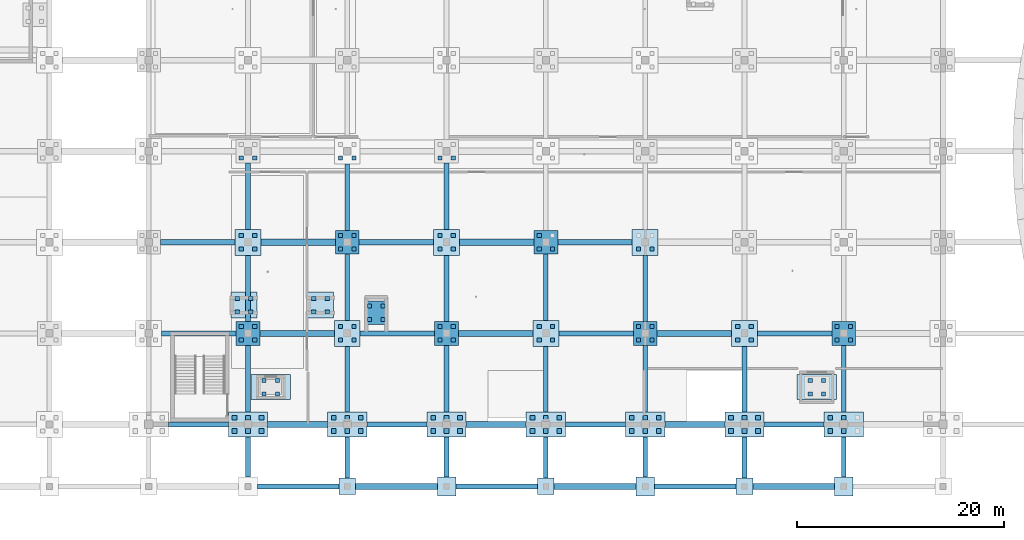
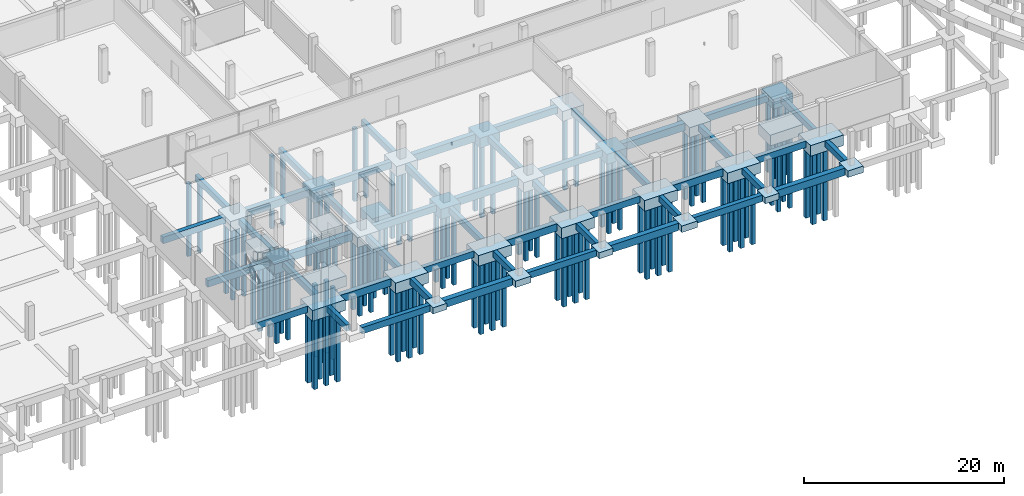
# One storey, part 3 of 31: 111 piles, 77 footings.
"""IFC4 building model written with IfcOpenShell, lengths in metres."""

from ifc_helpers import new_model, si_unit, direction, frame, origin, origin_2d, place, context, subcontext, project, spatial, rectangle, extrude, material, layer, layer_set, material_profile, profile_set, type_object, element, save


model = new_model("IFC4")

# Units and contexts
model_context = context("Model", 3, precision=1e-05, world=origin(), true_north=direction((0.0, 1.0)))
body_context = subcontext(model_context, "Body", "Model", "MODEL_VIEW")
ifc_project = project(units=[si_unit("LENGTHUNIT", "METRE"), si_unit("AREAUNIT", "SQUARE_METRE"), si_unit("VOLUMEUNIT", "CUBIC_METRE"), si_unit("PLANEANGLEUNIT", "RADIAN"), si_unit("MASSUNIT", "GRAM", prefix="KILO")], contexts=[model_context])

# Site, building, storey
site_placement = place(None, origin())
site = spatial("IfcSite", under=ifc_project, at=site_placement, CompositionType="ELEMENT")
building_placement = place(site_placement, origin())
building = spatial("IfcBuilding", under=site, at=building_placement, Name="Chalmorin Arch Market", CompositionType="ELEMENT")
storey_placement = place(building_placement, frame((0.0, 0.0, -4.199951171875)))
storey = spatial("IfcBuildingStorey", under=building, at=storey_placement, Name="B1", CompositionType="ELEMENT", Elevation=-4.199951171875)

# Piles
ifc_material_1 = material(Name="Precast concrete C50/60", Category="concrete")
ifc_material_profile_1 = material_profile(ifc_material_1, rectangle(XDim=0.406005859375, YDim=0.406005859375, at=origin_2d()), Name="PPC406")
ifc_profile_set_1 = profile_set([ifc_material_profile_1], Name="Precast concrete C50/60")
pile_type_1 = type_object("IfcPileType", Name="DrivenSquarePile-406", PredefinedType="DRIVEN", material=ifc_profile_set_1)
for number, where, z_axis, x_axis, name in (
    (1, (56.949951171875, 14.14990234375, -1.10009765625), (0.0, 0.0, -1.0), (1.0, 0.0, 0.0), "P-406-303"),
    (2, (58.25, 14.14990234375, -1.10009765625), (0.0, 0.0, -1.0), (1.0, 0.0, 0.0), "P-406-304"),
    (3, (56.949951171875, 15.449951171875, -1.10009765625), (0.0, 0.0, -1.0), (1.0, 0.0, 0.0), "P-406-305"),
    (4, (58.25, 15.449951171875, -1.10009765625), (0.0, 0.0, -1.0), (1.0, 0.0, 0.0), "P-406-306"),
    (5, (56.949951171875, 22.949951171875, -1.10009765625), (0.0, 0.0, -1.0), (1.0, 0.0, 0.0), "P-406-307"),
    (6, (58.25, 22.949951171875, -1.10009765625), (0.0, 0.0, -1.0), (1.0, 0.0, 0.0), "P-406-308"),
    (7, (56.949951171875, 24.25, -1.10009765625), (0.0, 0.0, -1.0), (1.0, 0.0, 0.0), "P-406-309"),
    (8, (58.25, 24.25, -1.10009765625), (0.0, 0.0, -1.0), (1.0, 0.0, 0.0), "P-406-310"),
    (9, (56.949951171875, 31.75, -1.10009765625), (0.0, 0.0, -1.0), (1.0, 0.0, 0.0), "P-406-311"),
    (10, (58.25, 31.75, -1.10009765625), (0.0, 0.0, -1.0), (1.0, 0.0, 0.0), "P-406-312"),
    (11, (66.550048828125, 14.14990234375, -1.10009765625), (0.0, 0.0, -1.0), (1.0, 0.0, 0.0), "P-406-359"),
    (12, (67.85009765625, 14.14990234375, -1.10009765625), (0.0, 0.0, -1.0), (1.0, 0.0, 0.0), "P-406-360"),
    (13, (66.550048828125, 15.449951171875, -1.10009765625), (0.0, 0.0, -1.0), (1.0, 0.0, 0.0), "P-406-361"),
    (14, (67.85009765625, 15.449951171875, -1.10009765625), (0.0, 0.0, -1.0), (1.0, 0.0, 0.0), "P-406-362"),
    (15, (66.550048828125, 22.949951171875, -1.10009765625), (0.0, 0.0, -1.0), (1.0, 0.0, 0.0), "P-406-363"),
    (16, (67.85009765625, 22.949951171875, -1.10009765625), (0.0, 0.0, -1.0), (1.0, 0.0, 0.0), "P-406-364"),
    (17, (66.550048828125, 24.25, -1.10009765625), (0.0, 0.0, -1.0), (1.0, 0.0, 0.0), "P-406-365"),
    (18, (67.85009765625, 24.25, -1.10009765625), (0.0, 0.0, -1.0), (1.0, 0.0, 0.0), "P-406-366"),
    (19, (66.550048828125, 31.75, -1.10009765625), (0.0, 0.0, -1.0), (1.0, 0.0, 0.0), "P-406-367"),
    (20, (67.85009765625, 31.75, -1.10009765625), (0.0, 0.0, -1.0), (1.0, 0.0, 0.0), "P-406-368"),
    (21, (76.14990234375, 14.14990234375, -1.10009765625), (0.0, 0.0, -1.0), (1.0, 0.0, 0.0), "P-406-415"),
    (22, (77.449951171875, 14.14990234375, -1.10009765625), (0.0, 0.0, -1.0), (1.0, 0.0, 0.0), "P-406-416"),
    (23, (76.14990234375, 15.449951171875, -1.10009765625), (0.0, 0.0, -1.0), (1.0, 0.0, 0.0), "P-406-417"),
    (24, (77.449951171875, 15.449951171875, -1.10009765625), (0.0, 0.0, -1.0), (1.0, 0.0, 0.0), "P-406-418"),
    (25, (76.14990234375, 22.949951171875, -1.10009765625), (0.0, 0.0, -1.0), (1.0, 0.0, 0.0), "P-406-419"),
    (26, (77.449951171875, 22.949951171875, -1.10009765625), (0.0, 0.0, -1.0), (1.0, 0.0, 0.0), "P-406-420"),
    (27, (76.14990234375, 24.25, -1.10009765625), (0.0, 0.0, -1.0), (1.0, 0.0, 0.0), "P-406-421"),
    (28, (77.449951171875, 24.25, -1.10009765625), (0.0, 0.0, -1.0), (1.0, 0.0, 0.0), "P-406-422"),
    (29, (76.14990234375, 31.75, -1.10009765625), (0.0, 0.0, -1.0), (1.0, 0.0, 0.0), "P-406-423"),
    (30, (77.449951171875, 31.75, -1.10009765625), (0.0, 0.0, -1.0), (1.0, 0.0, 0.0), "P-406-424"),
    (31, (85.75, 14.14990234375, -1.10009765625), (0.0, 0.0, -1.0), (1.0, 0.0, 0.0), "P-406-471"),
    (32, (87.050048828125, 14.14990234375, -1.10009765625), (0.0, 0.0, -1.0), (1.0, 0.0, 0.0), "P-406-472"),
    (33, (85.75, 15.449951171875, -1.10009765625), (0.0, 0.0, -1.0), (1.0, 0.0, 0.0), "P-406-473"),
    (34, (87.050048828125, 15.449951171875, -1.10009765625), (0.0, 0.0, -1.0), (1.0, 0.0, 0.0), "P-406-474"),
    (35, (85.75, 22.949951171875, -1.10009765625), (0.0, 0.0, -1.0), (1.0, 0.0, 0.0), "P-406-475"),
    (36, (87.050048828125, 22.949951171875, -1.10009765625), (0.0, 0.0, -1.0), (1.0, 0.0, 0.0), "P-406-476"),
    (37, (85.75, 24.25, -1.10009765625), (0.0, 0.0, -1.0), (1.0, 0.0, 0.0), "P-406-477"),
    (38, (95.35009765625, 14.14990234375, -1.10009765625), (0.0, 0.0, -1.0), (1.0, 0.0, 0.0), "P-406-527"),
    (39, (96.64990234375, 14.14990234375, -1.10009765625), (0.0, 0.0, -1.0), (1.0, 0.0, 0.0), "P-406-528"),
    (40, (95.35009765625, 15.449951171875, -1.10009765625), (0.0, 0.0, -1.0), (1.0, 0.0, 0.0), "P-406-529"),
    (41, (96.64990234375, 15.449951171875, -1.10009765625), (0.0, 0.0, -1.0), (1.0, 0.0, 0.0), "P-406-530"),
    (42, (95.35009765625, 22.949951171875, -1.10009765625), (0.0, 0.0, -1.0), (1.0, 0.0, 0.0), "P-406-531"),
    (43, (96.64990234375, 22.949951171875, -1.10009765625), (0.0, 0.0, -1.0), (1.0, 0.0, 0.0), "P-406-532"),
    (44, (104.949951171875, 14.14990234375, -1.10009765625), (0.0, 0.0, -1.0), (1.0, 0.0, 0.0), "P-406-583"),
    (45, (106.25, 14.14990234375, -1.10009765625), (0.0, 0.0, -1.0), (1.0, 0.0, 0.0), "P-406-584"),
    (46, (104.949951171875, 15.449951171875, -1.10009765625), (0.0, 0.0, -1.0), (1.0, 0.0, 0.0), "P-406-585"),
    (47, (106.25, 15.449951171875, -1.10009765625), (0.0, 0.0, -1.0), (1.0, 0.0, 0.0), "P-406-586"),
    (48, (114.550048828125, 14.14990234375, -1.10009765625), (0.0, 0.0, -1.0), (1.0, 0.0, 0.0), "P-406-639"),
    (49, (115.85009765625, 14.14990234375, -1.10009765625), (0.0, 0.0, -1.0), (1.0, 0.0, 0.0), "P-406-640"),
    (50, (114.550048828125, 15.449951171875, -1.10009765625), (0.0, 0.0, -1.0), (1.0, 0.0, 0.0), "P-406-641"),
    (51, (115.85009765625, 15.449951171875, -1.10009765625), (0.0, 0.0, -1.0), (1.0, 0.0, 0.0), "P-406-642"),
    (52, (56.56005859375, 16.875, -1.10009765625), (0.0, 0.0, -1.0), (1.0, 0.0, 0.0), "P-406-957"),
    (53, (57.860107421875, 16.875, -1.10009765625), (0.0, 0.0, -1.0), (1.0, 0.0, 0.0), "P-406-958"),
    (54, (56.56005859375, 18.175048828125, -1.10009765625), (0.0, 0.0, -1.0), (1.0, 0.0, 0.0), "P-406-959"),
    (55, (57.860107421875, 18.175048828125, -1.10009765625), (0.0, 0.0, -1.0), (1.0, 0.0, 0.0), "P-406-960"),
    (56, (63.9599609375, 16.875, -1.10009765625), (0.0, 0.0, -1.0), (1.0, 0.0, 0.0), "P-406-965"),
    (57, (65.260009765625, 16.875, -1.10009765625), (0.0, 0.0, -1.0), (1.0, 0.0, 0.0), "P-406-966"),
    (58, (63.9599609375, 18.175048828125, -1.10009765625), (0.0, 0.0, -1.0), (1.0, 0.0, 0.0), "P-406-967"),
    (59, (65.260009765625, 18.175048828125, -1.10009765625), (0.0, 0.0, -1.0), (1.0, 0.0, 0.0), "P-406-968"),
    (60, (69.35009765625, 16.14990234375, -1.10009765625), (0.0, 0.0, -1.0), (1.0, 0.0, 0.0), "P-406-969"),
    (61, (70.64990234375, 16.14990234375, -1.10009765625), (0.0, 0.0, -1.0), (1.0, 0.0, 0.0), "P-406-970"),
    (62, (69.35009765625, 17.449951171875, -1.10009765625), (0.0, 0.0, -1.0), (1.0, 0.0, 0.0), "P-406-971"),
    (63, (70.64990234375, 17.449951171875, -1.10009765625), (0.0, 0.0, -1.0), (1.0, 0.0, 0.0), "P-406-972"),
):
    element("IfcPile", number, at=place(storey_placement, frame(where, z_axis=z_axis, x_axis=x_axis)), inside=storey, type_object=pile_type_1, Name=name, PredefinedType="DRIVEN", context=body_context, shape_type="SweptSolid", body=[
        extrude(rectangle(XDim=0.406005859375, YDim=0.406005859375, at=origin_2d()), origin(), (0.0, 0.0, 1.0), 8.89990234375),
    ])
for number, where, z_axis, x_axis, name in (
    (64, (59.14990234375, 8.949951171875, -1.199951171875), (0.0, 0.0, -1.0), (1.0, 0.0, 0.0), "P-406-981"),
    (65, (60.449951171875, 8.949951171875, -1.199951171875), (0.0, 0.0, -1.0), (1.0, 0.0, 0.0), "P-406-982"),
    (66, (59.14990234375, 10.25, -1.199951171875), (0.0, 0.0, -1.0), (1.0, 0.0, 0.0), "P-406-983"),
    (67, (60.449951171875, 10.25, -1.199951171875), (0.0, 0.0, -1.0), (1.0, 0.0, 0.0), "P-406-984"),
    (68, (111.949951171875, 8.949951171875, -1.199951171875), (0.0, 0.0, -1.0), (1.0, 0.0, 0.0), "P-406-993"),
    (69, (113.25, 8.949951171875, -1.199951171875), (0.0, 0.0, -1.0), (1.0, 0.0, 0.0), "P-406-994"),
    (70, (111.949951171875, 10.25, -1.199951171875), (0.0, 0.0, -1.0), (1.0, 0.0, 0.0), "P-406-995"),
    (71, (113.25, 10.25, -1.199951171875), (0.0, 0.0, -1.0), (1.0, 0.0, 0.0), "P-406-996"),
):
    element("IfcPile", number, at=place(storey_placement, frame(where, z_axis=z_axis, x_axis=x_axis)), inside=storey, type_object=pile_type_1, Name=name, PredefinedType="DRIVEN", context=body_context, shape_type="SweptSolid", body=[
        extrude(rectangle(XDim=0.406005859375, YDim=0.406005859375, at=origin_2d()), origin(), (0.0, 0.0, 1.0), 8.800048828125),
    ])
ifc_material_profile_2 = material_profile(ifc_material_1, rectangle(XDim=0.45703125, YDim=0.45703125, at=origin_2d()), Name="PPC457")
ifc_profile_set_2 = profile_set([ifc_material_profile_2], Name="Precast concrete C50/60")
pile_type_2 = type_object("IfcPileType", Name="DrivenSquarePile-457", PredefinedType="DRIVEN", material=ifc_profile_set_2)
for number, where, z_axis, x_axis, name in (
    (72, (56.300048828125, 5.35009765625, -1.199951171875), (0.0, 0.0, -1.0), (1.0, 0.0, 0.0), "P-457-297"),
    (73, (57.60009765625, 5.35009765625, -1.199951171875), (0.0, 0.0, -1.0), (1.0, 0.0, 0.0), "P-457-298"),
    (74, (58.89990234375, 5.35009765625, -1.199951171875), (0.0, 0.0, -1.0), (1.0, 0.0, 0.0), "P-457-299"),
    (75, (56.300048828125, 6.64990234375, -1.199951171875), (0.0, 0.0, -1.0), (1.0, 0.0, 0.0), "P-457-300"),
    (76, (57.60009765625, 6.64990234375, -1.199951171875), (0.0, 0.0, -1.0), (1.0, 0.0, 0.0), "P-457-301"),
    (77, (58.89990234375, 6.64990234375, -1.199951171875), (0.0, 0.0, -1.0), (1.0, 0.0, 0.0), "P-457-302"),
    (78, (65.89990234375, 5.35009765625, -1.199951171875), (0.0, 0.0, -1.0), (1.0, 0.0, 0.0), "P-457-353"),
    (79, (67.199951171875, 5.35009765625, -1.199951171875), (0.0, 0.0, -1.0), (1.0, 0.0, 0.0), "P-457-354"),
    (80, (68.5, 5.35009765625, -1.199951171875), (0.0, 0.0, -1.0), (1.0, 0.0, 0.0), "P-457-355"),
    (81, (65.89990234375, 6.64990234375, -1.199951171875), (0.0, 0.0, -1.0), (1.0, 0.0, 0.0), "P-457-356"),
    (82, (67.199951171875, 6.64990234375, -1.199951171875), (0.0, 0.0, -1.0), (1.0, 0.0, 0.0), "P-457-357"),
    (83, (68.5, 6.64990234375, -1.199951171875), (0.0, 0.0, -1.0), (1.0, 0.0, 0.0), "P-457-358"),
    (84, (75.5, 5.35009765625, -1.199951171875), (0.0, 0.0, -1.0), (1.0, 0.0, 0.0), "P-457-409"),
    (85, (76.800048828125, 5.35009765625, -1.199951171875), (0.0, 0.0, -1.0), (1.0, 0.0, 0.0), "P-457-410"),
    (86, (78.10009765625, 5.35009765625, -1.199951171875), (0.0, 0.0, -1.0), (1.0, 0.0, 0.0), "P-457-411"),
    (87, (75.5, 6.64990234375, -1.199951171875), (0.0, 0.0, -1.0), (1.0, 0.0, 0.0), "P-457-412"),
    (88, (76.800048828125, 6.64990234375, -1.199951171875), (0.0, 0.0, -1.0), (1.0, 0.0, 0.0), "P-457-413"),
    (89, (78.10009765625, 6.64990234375, -1.199951171875), (0.0, 0.0, -1.0), (1.0, 0.0, 0.0), "P-457-414"),
    (90, (85.10009765625, 5.35009765625, -1.199951171875), (0.0, 0.0, -1.0), (1.0, 0.0, 0.0), "P-457-465"),
    (91, (86.39990234375, 5.35009765625, -1.199951171875), (0.0, 0.0, -1.0), (1.0, 0.0, 0.0), "P-457-466"),
    (92, (87.699951171875, 5.35009765625, -1.199951171875), (0.0, 0.0, -1.0), (1.0, 0.0, 0.0), "P-457-467"),
    (93, (85.10009765625, 6.64990234375, -1.199951171875), (0.0, 0.0, -1.0), (1.0, 0.0, 0.0), "P-457-468"),
    (94, (86.39990234375, 6.64990234375, -1.199951171875), (0.0, 0.0, -1.0), (1.0, 0.0, 0.0), "P-457-469"),
    (95, (87.699951171875, 6.64990234375, -1.199951171875), (0.0, 0.0, -1.0), (1.0, 0.0, 0.0), "P-457-470"),
    (96, (94.699951171875, 5.35009765625, -1.199951171875), (0.0, 0.0, -1.0), (1.0, 0.0, 0.0), "P-457-521"),
    (97, (96.0, 5.35009765625, -1.199951171875), (0.0, 0.0, -1.0), (1.0, 0.0, 0.0), "P-457-522"),
    (98, (97.300048828125, 5.35009765625, -1.199951171875), (0.0, 0.0, -1.0), (1.0, 0.0, 0.0), "P-457-523"),
    (99, (94.699951171875, 6.64990234375, -1.199951171875), (0.0, 0.0, -1.0), (1.0, 0.0, 0.0), "P-457-524"),
    (100, (96.0, 6.64990234375, -1.199951171875), (0.0, 0.0, -1.0), (1.0, 0.0, 0.0), "P-457-525"),
    (101, (97.300048828125, 6.64990234375, -1.199951171875), (0.0, 0.0, -1.0), (1.0, 0.0, 0.0), "P-457-526"),
    (102, (104.300048828125, 5.35009765625, -1.199951171875), (0.0, 0.0, -1.0), (1.0, 0.0, 0.0), "P-457-577"),
    (103, (105.60009765625, 5.35009765625, -1.199951171875), (0.0, 0.0, -1.0), (1.0, 0.0, 0.0), "P-457-578"),
    (104, (106.89990234375, 5.35009765625, -1.199951171875), (0.0, 0.0, -1.0), (1.0, 0.0, 0.0), "P-457-579"),
    (105, (104.300048828125, 6.64990234375, -1.199951171875), (0.0, 0.0, -1.0), (1.0, 0.0, 0.0), "P-457-580"),
    (106, (105.60009765625, 6.64990234375, -1.199951171875), (0.0, 0.0, -1.0), (1.0, 0.0, 0.0), "P-457-581"),
    (107, (106.89990234375, 6.64990234375, -1.199951171875), (0.0, 0.0, -1.0), (1.0, 0.0, 0.0), "P-457-582"),
    (108, (113.89990234375, 5.35009765625, -1.199951171875), (0.0, 0.0, -1.0), (1.0, 0.0, 0.0), "P-457-633"),
    (109, (115.199951171875, 5.35009765625, -1.199951171875), (0.0, 0.0, -1.0), (1.0, 0.0, 0.0), "P-457-634"),
    (110, (113.89990234375, 6.64990234375, -1.199951171875), (0.0, 0.0, -1.0), (1.0, 0.0, 0.0), "P-457-636"),
    (111, (115.199951171875, 6.64990234375, -1.199951171875), (0.0, 0.0, -1.0), (1.0, 0.0, 0.0), "P-457-637"),
):
    element("IfcPile", number, at=place(storey_placement, frame(where, z_axis=z_axis, x_axis=x_axis)), inside=storey, type_object=pile_type_2, Name=name, PredefinedType="DRIVEN", context=body_context, shape_type="SweptSolid", body=[
        extrude(rectangle(XDim=0.45703125, YDim=0.45703125, at=origin_2d()), origin(), (0.0, 0.0, 1.0), 8.800048828125),
    ])

# Footings
ifc_material_2 = material(Name="Concrete C40/50", Category="concrete")
ifc_layer_1 = layer(ifc_material_2, 0.75)
ifc_layer_set_1 = layer_set([ifc_layer_1], Name="Concrete C40/50")
footing_type_1 = type_object("IfcFootingType", Name="FoundationTieBeam-450x750-L3900", PredefinedType="FOOTING_BEAM", material=ifc_layer_set_1)
for number, where, z_axis, x_axis, name in (
    (112, (57.60009765625, 2.85009765625, -0.75), (0.0, 0.0, 1.0), (0.0, 1.0, 0.0), "FTB-03-246"),
    (113, (76.800048828125, 2.85009765625, -0.75), (0.0, 0.0, 1.0), (0.0, 1.0, 0.0), "FTB-03-272"),
    (114, (96.0, 2.85009765625, -0.75), (0.0, 0.0, 1.0), (0.0, 1.0, 0.0), "FTB-03-298"),
    (115, (115.199951171875, 2.85009765625, -0.75), (0.0, 0.0, 1.0), (0.0, 1.0, 0.0), "FTB-03-324"),
):
    element("IfcFooting", number, at=place(storey_placement, frame(where, z_axis=z_axis, x_axis=x_axis)), inside=storey, type_object=footing_type_1, Name=name, PredefinedType="FOOTING_BEAM", context=body_context, shape_type="SweptSolid", body=[
        extrude(rectangle(XDim=3.89990234375, YDim=0.449951171875, at=origin_2d()), origin(), (0.0, 0.0, 1.0), 0.75),
    ])
ifc_layer_2 = layer(ifc_material_2, 0.75)
ifc_layer_set_2 = layer_set([ifc_layer_2], Name="Concrete C40/50")
footing_type_2 = type_object("IfcFootingType", Name="FoundationTieBeam-450x750-L4000", PredefinedType="FOOTING_BEAM", material=ifc_layer_set_2)
for number, where, z_axis, x_axis, name in (
    (116, (67.199951171875, 2.800048828125, -0.75), (0.0, 0.0, 1.0), (0.0, 1.0, 0.0), "FTB-03-259"),
    (117, (86.39990234375, 2.800048828125, -0.75), (0.0, 0.0, 1.0), (0.0, 1.0, 0.0), "FTB-03-285"),
    (118, (105.60009765625, 2.800048828125, -0.75), (0.0, 0.0, 1.0), (0.0, 1.0, 0.0), "FTB-03-311"),
):
    element("IfcFooting", number, at=place(storey_placement, frame(where, z_axis=z_axis, x_axis=x_axis)), inside=storey, type_object=footing_type_2, Name=name, PredefinedType="FOOTING_BEAM", context=body_context, shape_type="SweptSolid", body=[
        extrude(rectangle(XDim=4.0, YDim=0.449951171875, at=origin_2d()), origin(), (0.0, 0.0, 1.0), 0.75),
    ])
ifc_layer_3 = layer(ifc_material_2, 0.75)
ifc_layer_set_3 = layer_set([ifc_layer_3], Name="Concrete C40/50")
footing_type_3 = type_object("IfcFootingType", Name="FoundationTieBeam-450x750-L6350", PredefinedType="FOOTING_BEAM", material=ifc_layer_set_3)
for number, where, z_axis, x_axis, name in (
    (119, (67.199951171875, 10.375, -0.75), (0.0, 0.0, 1.0), (0.0, 1.0, 0.0), "FTB-03-260"),
    (120, (86.39990234375, 10.375, -0.75), (0.0, 0.0, 1.0), (0.0, 1.0, 0.0), "FTB-03-286"),
    (121, (105.60009765625, 10.375, -0.75), (0.0, 0.0, 1.0), (0.0, 1.0, 0.0), "FTB-03-312"),
):
    element("IfcFooting", number, at=place(storey_placement, frame(where, z_axis=z_axis, x_axis=x_axis)), inside=storey, type_object=footing_type_3, Name=name, PredefinedType="FOOTING_BEAM", context=body_context, shape_type="SweptSolid", body=[
        extrude(rectangle(XDim=6.35009765625, YDim=0.449951171875, at=origin_2d()), origin(), (0.0, 0.0, 1.0), 0.75),
    ])
ifc_layer_4 = layer(ifc_material_2, 0.75)
ifc_layer_set_4 = layer_set([ifc_layer_4], Name="Concrete C40/50")
footing_type_4 = type_object("IfcFootingType", Name="FoundationTieBeam-450x750-L6400", PredefinedType="FOOTING_BEAM", material=ifc_layer_set_4)
for number, where, z_axis, x_axis, name in (
    (122, (57.60009765625, 19.14990234375, -0.75), (0.0, 0.0, 1.0), (0.0, 1.0, 0.0), "FTB-03-248"),
    (123, (57.60009765625, 28.050048828125, -0.75), (0.0, 0.0, 1.0), (0.0, 1.0, 0.0), "FTB-03-249"),
    (124, (67.199951171875, 19.25, -0.75), (0.0, 0.0, 1.0), (0.0, 1.0, 0.0), "FTB-03-261"),
    (125, (67.199951171875, 27.949951171875, -0.75), (0.0, 0.0, 1.0), (0.0, 1.0, 0.0), "FTB-03-262"),
    (126, (76.800048828125, 19.14990234375, -0.75), (0.0, 0.0, 1.0), (0.0, 1.0, 0.0), "FTB-03-274"),
    (127, (76.800048828125, 28.050048828125, -0.75), (0.0, 0.0, 1.0), (0.0, 1.0, 0.0), "FTB-03-275"),
    (128, (86.39990234375, 19.25, -0.75), (0.0, 0.0, 1.0), (0.0, 1.0, 0.0), "FTB-03-287"),
    (129, (96.0, 19.14990234375, -0.75), (0.0, 0.0, 1.0), (0.0, 1.0, 0.0), "FTB-03-300"),
):
    element("IfcFooting", number, at=place(storey_placement, frame(where, z_axis=z_axis, x_axis=x_axis)), inside=storey, type_object=footing_type_4, Name=name, PredefinedType="FOOTING_BEAM", context=body_context, shape_type="SweptSolid", body=[
        extrude(rectangle(XDim=6.39990234375, YDim=0.449951171875, at=origin_2d()), origin(), (0.0, 0.0, 1.0), 0.75),
    ])
ifc_layer_5 = layer(ifc_material_2, 0.75)
ifc_layer_set_5 = layer_set([ifc_layer_5], Name="Concrete C40/50")
footing_type_5 = type_object("IfcFootingType", Name="FoundationTieBeam-450x750-L6450", PredefinedType="FOOTING_BEAM", material=ifc_layer_set_5)
for number, where, z_axis, x_axis, name in (
    (130, (57.60009765625, 10.425048828125, -0.75), (0.0, 0.0, 1.0), (0.0, 1.0, 0.0), "FTB-03-247"),
    (131, (76.800048828125, 10.425048828125, -0.75), (0.0, 0.0, 1.0), (0.0, 1.0, 0.0), "FTB-03-273"),
    (132, (96.0, 10.425048828125, -0.75), (0.0, 0.0, 1.0), (0.0, 1.0, 0.0), "FTB-03-299"),
    (133, (115.199951171875, 10.425048828125, -0.75), (0.0, 0.0, 1.0), (0.0, 1.0, 0.0), "FTB-03-325"),
):
    element("IfcFooting", number, at=place(storey_placement, frame(where, z_axis=z_axis, x_axis=x_axis)), inside=storey, type_object=footing_type_5, Name=name, PredefinedType="FOOTING_BEAM", context=body_context, shape_type="SweptSolid", body=[
        extrude(rectangle(XDim=6.449951171875, YDim=0.449951171875, at=origin_2d()), origin(), (0.0, 0.0, 1.0), 0.75),
    ])
ifc_layer_6 = layer(ifc_material_2, 0.800048828125)
ifc_layer_set_6 = layer_set([ifc_layer_6], Name="Concrete C40/50")
footing_type_6 = type_object("IfcFootingType", Name="FoundationTieBeam-500x800-L5800", PredefinedType="FOOTING_BEAM", material=ifc_layer_set_6)
for number, where, z_axis, x_axis, name in (
    (134, (52.800048828125, 6.0, -0.80029296875), (0.0, 0.0, 1.0), (1.0, 0.0, 0.0), "FTB-02-019"),
    (135, (72.0, 6.0, -0.80029296875), (0.0, 0.0, 1.0), (1.0, 0.0, 0.0), "FTB-02-021"),
    (136, (91.199951171875, 6.0, -0.80029296875), (0.0, 0.0, 1.0), (1.0, 0.0, 0.0), "FTB-02-023"),
    (137, (110.39990234375, 6.0, -0.80029296875), (0.0, 0.0, 1.0), (1.0, 0.0, 0.0), "FTB-02-025"),
):
    element("IfcFooting", number, at=place(storey_placement, frame(where, z_axis=z_axis, x_axis=x_axis)), inside=storey, type_object=footing_type_6, Name=name, PredefinedType="FOOTING_BEAM", context=body_context, shape_type="SweptSolid", body=[
        extrude(rectangle(XDim=5.800048828125, YDim=0.5, at=origin_2d()), origin(), (0.0, 0.0, 1.0), 0.800048828125),
    ])
ifc_layer_7 = layer(ifc_material_2, 0.800048828125)
ifc_layer_set_7 = layer_set([ifc_layer_7], Name="Concrete C40/50")
footing_type_7 = type_object("IfcFootingType", Name="FoundationTieBeam-500x800-L7200", PredefinedType="FOOTING_BEAM", material=ifc_layer_set_7)
for number, where, z_axis, x_axis, name in (
    (138, (52.85009765625, 14.800048828125, -0.80029296875), (0.0, 0.0, 1.0), (1.0, 0.0, 0.0), "FTB-02-033"),
    (139, (72.050048828125, 14.800048828125, -0.80029296875), (0.0, 0.0, 1.0), (1.0, 0.0, 0.0), "FTB-02-035"),
    (140, (91.25, 14.800048828125, -0.80029296875), (0.0, 0.0, 1.0), (1.0, 0.0, 0.0), "FTB-02-037"),
    (141, (110.449951171875, 14.800048828125, -0.80029296875), (0.0, 0.0, 1.0), (1.0, 0.0, 0.0), "FTB-02-039"),
    (142, (52.75, 23.60009765625, -0.80029296875), (0.0, 0.0, 1.0), (1.0, 0.0, 0.0), "FTB-02-047"),
    (143, (71.949951171875, 23.60009765625, -0.80029296875), (0.0, 0.0, 1.0), (1.0, 0.0, 0.0), "FTB-02-049"),
    (144, (91.14990234375, 23.60009765625, -0.80029296875), (0.0, 0.0, 1.0), (1.0, 0.0, 0.0), "FTB-02-051"),
):
    element("IfcFooting", number, at=place(storey_placement, frame(where, z_axis=z_axis, x_axis=x_axis)), inside=storey, type_object=footing_type_7, Name=name, PredefinedType="FOOTING_BEAM", context=body_context, shape_type="SweptSolid", body=[
        extrude(rectangle(XDim=7.199951171875, YDim=0.5, at=origin_2d()), origin(), (0.0, 0.0, 1.0), 0.800048828125),
    ])
ifc_layer_8 = layer(ifc_material_2, 0.800048828125)
ifc_layer_set_8 = layer_set([ifc_layer_8], Name="Concrete C40/50")
footing_type_8 = type_object("IfcFootingType", Name="FoundationTieBeam-500x800-L7900", PredefinedType="FOOTING_BEAM", material=ifc_layer_set_8)
for number, where, z_axis, x_axis, name in (
    (145, (62.449951171875, 0.0, -0.80029296875), (0.0, 0.0, 1.0), (1.0, 0.0, 0.0), "FTB-02-007"),
    (146, (81.64990234375, 0.0, -0.80029296875), (0.0, 0.0, 1.0), (1.0, 0.0, 0.0), "FTB-02-009"),
    (147, (100.85009765625, 0.0, -0.80029296875), (0.0, 0.0, 1.0), (1.0, 0.0, 0.0), "FTB-02-011"),
):
    element("IfcFooting", number, at=place(storey_placement, frame(where, z_axis=z_axis, x_axis=x_axis)), inside=storey, type_object=footing_type_8, Name=name, PredefinedType="FOOTING_BEAM", context=body_context, shape_type="SweptSolid", body=[
        extrude(rectangle(XDim=7.89990234375, YDim=0.5, at=origin_2d()), origin(), (0.0, 0.0, 1.0), 0.800048828125),
    ])
ifc_layer_9 = layer(ifc_material_2, 0.89990234375)
ifc_layer_set_9 = layer_set([ifc_layer_9], Name="Concrete C40/50")
footing_type_9 = type_object("IfcFootingType", Name="FoundationTieBeam-600x900-L5800", PredefinedType="FOOTING_BEAM", material=ifc_layer_set_9)
for number, where, z_axis, x_axis, name in (
    (148, (62.39990234375, 6.0, -0.89990234375), (0.0, 0.0, 1.0), (1.0, 0.0, 0.0), "FTB-01-020"),
    (149, (81.60009765625, 6.0, -0.89990234375), (0.0, 0.0, 1.0), (1.0, 0.0, 0.0), "FTB-01-022"),
    (150, (100.800048828125, 6.0, -0.89990234375), (0.0, 0.0, 1.0), (1.0, 0.0, 0.0), "FTB-01-024"),
):
    element("IfcFooting", number, at=place(storey_placement, frame(where, z_axis=z_axis, x_axis=x_axis)), inside=storey, type_object=footing_type_9, Name=name, PredefinedType="FOOTING_BEAM", context=body_context, shape_type="SweptSolid", body=[
        extrude(rectangle(XDim=5.800048828125, YDim=0.60009765625, at=origin_2d()), origin(), (0.0, 0.0, 1.0), 0.89990234375),
    ])
ifc_layer_10 = layer(ifc_material_2, 0.89990234375)
ifc_layer_set_10 = layer_set([ifc_layer_10], Name="Concrete C40/50")
footing_type_10 = type_object("IfcFootingType", Name="FoundationTieBeam-600x900-L7200", PredefinedType="FOOTING_BEAM", material=ifc_layer_set_10)
for number, where, z_axis, x_axis, name in (
    (151, (62.35009765625, 14.800048828125, -0.89990234375), (0.0, 0.0, 1.0), (1.0, 0.0, 0.0), "FTB-01-034"),
    (152, (81.550048828125, 14.800048828125, -0.89990234375), (0.0, 0.0, 1.0), (1.0, 0.0, 0.0), "FTB-01-036"),
    (153, (100.75, 14.800048828125, -0.89990234375), (0.0, 0.0, 1.0), (1.0, 0.0, 0.0), "FTB-01-038"),
    (154, (62.449951171875, 23.60009765625, -0.89990234375), (0.0, 0.0, 1.0), (1.0, 0.0, 0.0), "FTB-01-048"),
    (155, (81.64990234375, 23.60009765625, -0.89990234375), (0.0, 0.0, 1.0), (1.0, 0.0, 0.0), "FTB-01-050"),
):
    element("IfcFooting", number, at=place(storey_placement, frame(where, z_axis=z_axis, x_axis=x_axis)), inside=storey, type_object=footing_type_10, Name=name, PredefinedType="FOOTING_BEAM", context=body_context, shape_type="SweptSolid", body=[
        extrude(rectangle(XDim=7.199951171875, YDim=0.60009765625, at=origin_2d()), origin(), (0.0, 0.0, 1.0), 0.89990234375),
    ])
ifc_layer_11 = layer(ifc_material_2, 0.89990234375)
ifc_layer_set_11 = layer_set([ifc_layer_11], Name="Concrete C40/50")
footing_type_11 = type_object("IfcFootingType", Name="FoundationTieBeam-600x900-L7900", PredefinedType="FOOTING_BEAM", material=ifc_layer_set_11)
for number, where, z_axis, x_axis, name in (
    (156, (71.949951171875, 0.0, -0.89990234375), (0.0, 0.0, 1.0), (1.0, 0.0, 0.0), "FTB-01-008"),
    (157, (91.14990234375, 0.0, -0.89990234375), (0.0, 0.0, 1.0), (1.0, 0.0, 0.0), "FTB-01-010"),
    (158, (110.35009765625, 0.0, -0.89990234375), (0.0, 0.0, 1.0), (1.0, 0.0, 0.0), "FTB-01-012"),
):
    element("IfcFooting", number, at=place(storey_placement, frame(where, z_axis=z_axis, x_axis=x_axis)), inside=storey, type_object=footing_type_11, Name=name, PredefinedType="FOOTING_BEAM", context=body_context, shape_type="SweptSolid", body=[
        extrude(rectangle(XDim=7.89990234375, YDim=0.60009765625, at=origin_2d()), origin(), (0.0, 0.0, 1.0), 0.89990234375),
    ])
ifc_layer_12 = layer(ifc_material_2, 1.199951171875)
ifc_layer_set_12 = layer_set([ifc_layer_12], Name="Concrete C40/50")
footing_type_12 = type_object("IfcFootingType", Name="MultiPileCap-2300x2300x1200", PredefinedType="PILE_CAP", material=ifc_layer_set_12)
for number, where, z_axis, x_axis, name in (
    (159, (57.60009765625, 14.800048828125, -1.2001953125), (0.0, 0.0, 1.0), (1.0, 0.0, 0.0), "PC-02-082"),
    (160, (67.199951171875, 23.60009765625, -1.2001953125), (0.0, 0.0, 1.0), (1.0, 0.0, 0.0), "PC-02-097"),
    (161, (76.800048828125, 14.800048828125, -1.2001953125), (0.0, 0.0, 1.0), (1.0, 0.0, 0.0), "PC-02-110"),
    (162, (86.39990234375, 23.60009765625, -1.2001953125), (0.0, 0.0, 1.0), (1.0, 0.0, 0.0), "PC-02-125"),
    (163, (96.0, 14.800048828125, -1.2001953125), (0.0, 0.0, 1.0), (1.0, 0.0, 0.0), "PC-02-138"),
    (164, (115.199951171875, 14.800048828125, -1.2001953125), (0.0, 0.0, 1.0), (1.0, 0.0, 0.0), "PC-02-166"),
    (165, (70.0, 16.800048828125, -1.2001953125), (0.0, 0.0, 1.0), (1.0, 0.0, 0.0), "PC-02-282"),
):
    element("IfcFooting", number, at=place(storey_placement, frame(where, z_axis=z_axis, x_axis=x_axis)), inside=storey, type_object=footing_type_12, Name=name, PredefinedType="PILE_CAP", context=body_context, shape_type="SweptSolid", body=[
        extrude(rectangle(XDim=2.300048828125, YDim=2.300048828125, at=origin_2d()), origin(), (0.0, 0.0, 1.0), 1.199951171875),
    ])
ifc_layer_13 = layer(ifc_material_2, 1.199951171875)
ifc_layer_set_13 = layer_set([ifc_layer_13], Name="Concrete C40/50")
footing_type_13 = type_object("IfcFootingType", Name="MultiPileCap-2500x2500x1200", PredefinedType="PILE_CAP", material=ifc_layer_set_13)
for number, where, z_axis, x_axis, name in (
    (166, (57.60009765625, 23.60009765625, -1.2001953125), (0.0, 0.0, 1.0), (1.0, 0.0, 0.0), "PC-01-083"),
    (167, (67.199951171875, 14.800048828125, -1.2001953125), (0.0, 0.0, 1.0), (1.0, 0.0, 0.0), "PC-01-096"),
    (168, (76.800048828125, 23.60009765625, -1.2001953125), (0.0, 0.0, 1.0), (1.0, 0.0, 0.0), "PC-01-111"),
    (169, (86.39990234375, 14.800048828125, -1.2001953125), (0.0, 0.0, 1.0), (1.0, 0.0, 0.0), "PC-01-124"),
    (170, (96.0, 23.60009765625, -1.2001953125), (0.0, 0.0, 1.0), (1.0, 0.0, 0.0), "PC-01-139"),
    (171, (105.60009765625, 14.800048828125, -1.2001953125), (0.0, 0.0, 1.0), (1.0, 0.0, 0.0), "PC-01-152"),
    (172, (57.2099609375, 17.52490234375, -1.2001953125), (0.0, 0.0, 1.0), (1.0, 0.0, 0.0), "PC-01-279"),
    (173, (64.610107421875, 17.52490234375, -1.2001953125), (0.0, 0.0, 1.0), (1.0, 0.0, 0.0), "PC-01-281"),
):
    element("IfcFooting", number, at=place(storey_placement, frame(where, z_axis=z_axis, x_axis=x_axis)), inside=storey, type_object=footing_type_13, Name=name, PredefinedType="PILE_CAP", context=body_context, shape_type="SweptSolid", body=[
        extrude(rectangle(XDim=2.5, YDim=2.5, at=origin_2d()), origin(), (0.0, 0.0, 1.0), 1.199951171875),
    ])
ifc_layer_14 = layer(ifc_material_2, 1.300048828125)
ifc_layer_set_14 = layer_set([ifc_layer_14], Name="Concrete C40/50")
footing_type_14 = type_object("IfcFootingType", Name="MultiPileCap-3800x2400x1300", PredefinedType="PILE_CAP", material=ifc_layer_set_14)
for number, where, z_axis, x_axis, name in (
    (174, (57.60009765625, 6.0, -1.30029296875), (0.0, 0.0, 1.0), (1.0, 0.0, 0.0), "PC-06-081"),
    (175, (67.199951171875, 6.0, -1.30029296875), (0.0, 0.0, 1.0), (1.0, 0.0, 0.0), "PC-06-095"),
    (176, (76.800048828125, 6.0, -1.30029296875), (0.0, 0.0, 1.0), (1.0, 0.0, 0.0), "PC-06-109"),
    (177, (86.39990234375, 6.0, -1.30029296875), (0.0, 0.0, 1.0), (1.0, 0.0, 0.0), "PC-06-123"),
    (178, (96.0, 6.0, -1.30029296875), (0.0, 0.0, 1.0), (1.0, 0.0, 0.0), "PC-06-137"),
    (179, (105.60009765625, 6.0, -1.30029296875), (0.0, 0.0, 1.0), (1.0, 0.0, 0.0), "PC-06-151"),
    (180, (115.199951171875, 6.0, -1.30029296875), (0.0, 0.0, 1.0), (1.0, 0.0, 0.0), "PC-06-165"),
    (181, (59.800048828125, 9.60009765625, -1.30029296875), (0.0, 0.0, 1.0), (1.0, 0.0, 0.0), "PC-06-285"),
    (182, (112.60009765625, 9.60009765625, -1.30029296875), (0.0, 0.0, 1.0), (1.0, 0.0, 0.0), "PC-06-288"),
):
    element("IfcFooting", number, at=place(storey_placement, frame(where, z_axis=z_axis, x_axis=x_axis)), inside=storey, type_object=footing_type_14, Name=name, PredefinedType="PILE_CAP", context=body_context, shape_type="SweptSolid", body=[
        extrude(rectangle(XDim=3.800048828125, YDim=2.39990234375, at=origin_2d()), origin(), (0.0, 0.0, 1.0), 1.300048828125),
    ])
ifc_layer_15 = layer(ifc_material_2, 0.75)
ifc_layer_set_15 = layer_set([ifc_layer_15], Name="Concrete C40/50")
footing_type_15 = type_object("IfcFootingType", Name="SpreadPadFooting-1600x1600x750", PredefinedType="PAD_FOOTING", material=ifc_layer_set_15)
for number, where, z_axis, x_axis, name in (
    (183, (67.199951171875, 0.0, -0.75), (0.0, 0.0, 1.0), (1.0, 0.0, 0.0), "PF-02-094"),
    (184, (86.39990234375, 0.0, -0.75), (0.0, 0.0, 1.0), (1.0, 0.0, 0.0), "PF-02-122"),
    (185, (105.60009765625, 0.0, -0.75), (0.0, 0.0, 1.0), (1.0, 0.0, 0.0), "PF-02-150"),
):
    element("IfcFooting", number, at=place(storey_placement, frame(where, z_axis=z_axis, x_axis=x_axis)), inside=storey, type_object=footing_type_15, Name=name, PredefinedType="PAD_FOOTING", context=body_context, shape_type="SweptSolid", body=[
        extrude(rectangle(XDim=1.60009765625, YDim=1.60009765625, at=origin_2d()), origin(), (0.0, 0.0, 1.0), 0.75),
    ])
ifc_layer_16 = layer(ifc_material_2, 0.800048828125)
ifc_layer_set_16 = layer_set([ifc_layer_16], Name="Concrete C40/50")
footing_type_16 = type_object("IfcFootingType", Name="SpreadPadFooting-1800x1800x800", PredefinedType="PAD_FOOTING", material=ifc_layer_set_16)
for number, where, z_axis, x_axis, name in (
    (186, (76.800048828125, 0.0, -0.80029296875), (0.0, 0.0, 1.0), (1.0, 0.0, 0.0), "PF-01-108"),
    (187, (96.0, 0.0, -0.80029296875), (0.0, 0.0, 1.0), (1.0, 0.0, 0.0), "PF-01-136"),
    (188, (115.199951171875, 0.0, -0.80029296875), (0.0, 0.0, 1.0), (1.0, 0.0, 0.0), "PF-01-164"),
):
    element("IfcFooting", number, at=place(storey_placement, frame(where, z_axis=z_axis, x_axis=x_axis)), inside=storey, type_object=footing_type_16, Name=name, PredefinedType="PAD_FOOTING", context=body_context, shape_type="SweptSolid", body=[
        extrude(rectangle(XDim=1.800048828125, YDim=1.800048828125, at=origin_2d()), origin(), (0.0, 0.0, 1.0), 0.800048828125),
    ])

save(model, "model.ifc")
